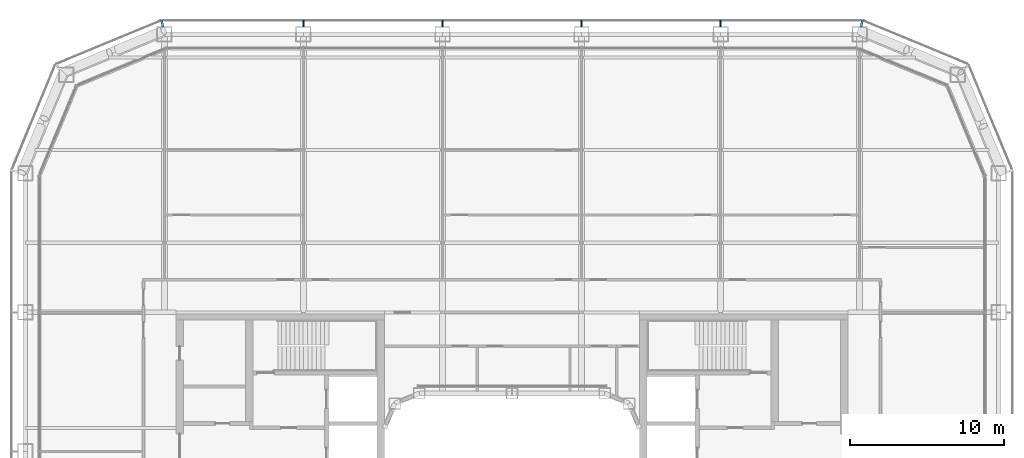
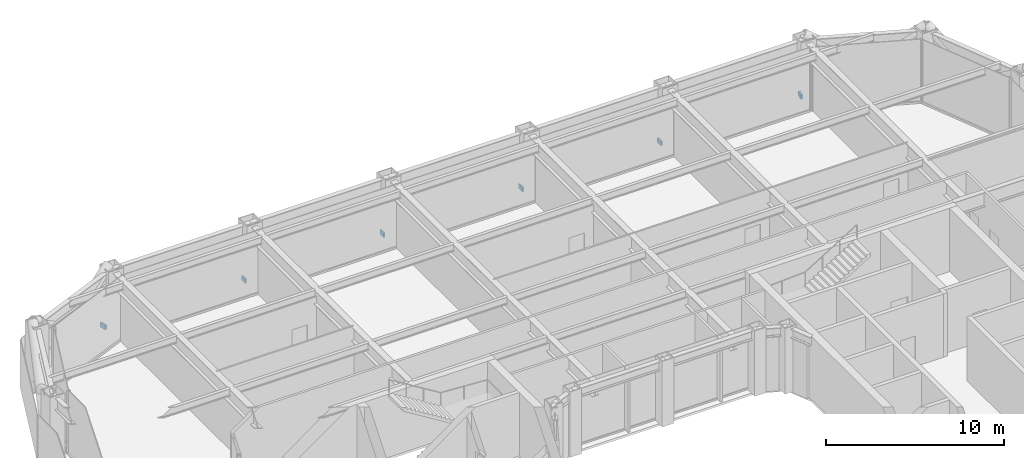
# One storey, part 20 of 25: 6 discrete accessories.
"""IFC4 building model written with IfcOpenShell, lengths in metres."""

from ifc_helpers import new_model, si_unit, direction, frame, origin, origin_2d, place, context, subcontext, project, spatial, rectangle, extrude, material, type_object, element, save


model = new_model("IFC4")

# Units and contexts
model_context = context("Model", 3, precision=1e-05, world=origin(), true_north=direction((0.0, 1.0)))
body_context = subcontext(model_context, "Body", "Model", "MODEL_VIEW")
ifc_project = project(units=[si_unit("LENGTHUNIT", "METRE"), si_unit("AREAUNIT", "SQUARE_METRE"), si_unit("VOLUMEUNIT", "CUBIC_METRE"), si_unit("PLANEANGLEUNIT", "RADIAN"), si_unit("MASSUNIT", "GRAM", prefix="KILO")], contexts=[model_context])

# Site, building, storey
site_placement = place(None, origin())
site = spatial("IfcSite", under=ifc_project, at=site_placement, CompositionType="ELEMENT")
building_placement = place(site_placement, origin())
building = spatial("IfcBuilding", under=site, at=building_placement, Name="Siwar Civic Tower", CompositionType="ELEMENT")
storey_placement = place(building_placement, frame((0.0, 0.0, 58.199951171875)))
storey = spatial("IfcBuildingStorey", under=building, at=storey_placement, Name="L12", CompositionType="ELEMENT", Elevation=58.199951171875)

# Discrete accessories
ifc_material = material(Name="Stainless steel 316", Category="steel")
discrete_accessory_type = type_object("IfcDiscreteAccessoryType", Name="ENV-BRACKET", PredefinedType="BRACKET", material=ifc_material)
for number, where, z_axis, x_axis, name in (
    (1, (13.5, 32.18994140625, -0.14990234375), (0.0, 0.0, 1.0), (0.0, 1.0, 0.0), "Bracket outer skin joint N-01"),
    (2, (4.5, 32.18994140625, -0.14990234375), (0.0, 0.0, 1.0), (0.0, 1.0, 0.0), "Bracket outer skin joint N-02"),
    (3, (-4.5, 32.18994140625, -0.14990234375), (0.0, 0.0, 1.0), (0.0, 1.0, 0.0), "Bracket outer skin joint N-03"),
    (4, (-13.5, 32.18994140625, -0.14990234375), (0.0, 0.0, 1.0), (0.0, 1.0, 0.0), "Bracket outer skin joint N-04"),
):
    element("IfcDiscreteAccessory", number, at=place(storey_placement, frame(where, z_axis=z_axis, x_axis=x_axis)), inside=storey, type_object=discrete_accessory_type, Name=name, PredefinedType="BRACKET", context=body_context, shape_type="SweptSolid", body=[
        extrude(rectangle(XDim=0.419921875, YDim=0.10009765625, at=origin_2d()), origin(), (0.0, 0.0, 1.0), 0.300048828125),
    ])
for number, where, z_axis, x_axis, name in (
    (5, (22.63720703125, 32.190185546875, -0.14990234375), (0.0, 0.0, 1.0), (0.195090322016, 0.980785280403, 0.0), "Bracket outer skin joint V06"),
    (6, (-22.63720703125, 32.190185546875, -0.14990234375), (0.0, 0.0, 1.0), (-0.195090322016, 0.980785280403, 0.0), "Bracket outer skin joint V07"),
):
    element("IfcDiscreteAccessory", number, at=place(storey_placement, frame(where, z_axis=z_axis, x_axis=x_axis)), inside=storey, type_object=discrete_accessory_type, Name=name, PredefinedType="BRACKET", context=body_context, shape_type="SweptSolid", body=[
        extrude(rectangle(XDim=0.427734375, YDim=0.13720703125, at=origin_2d()), origin(), (0.0, 0.0, 1.0), 0.300048828125),
    ])

save(model, "model.ifc")
